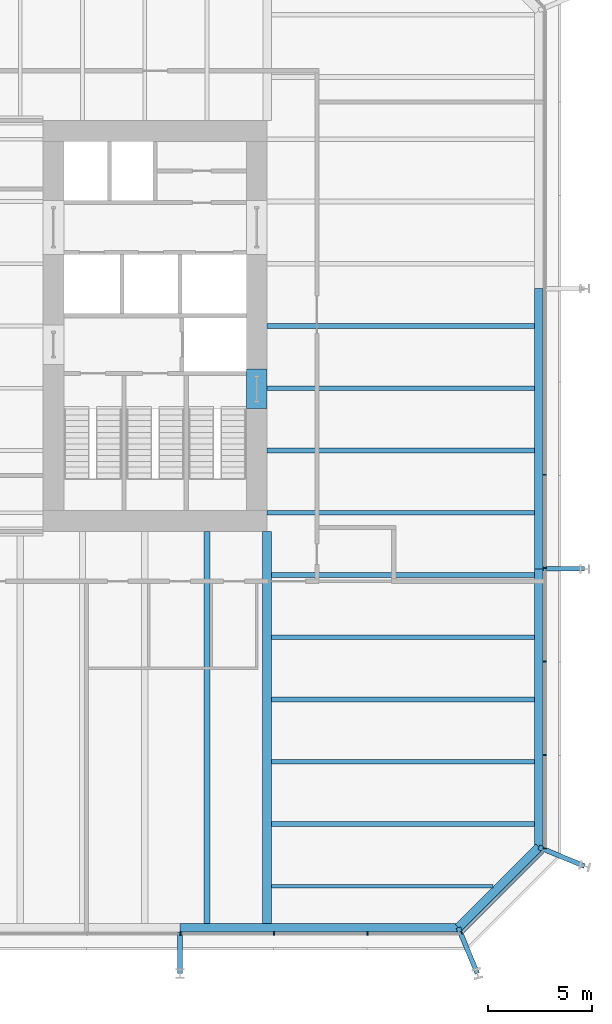
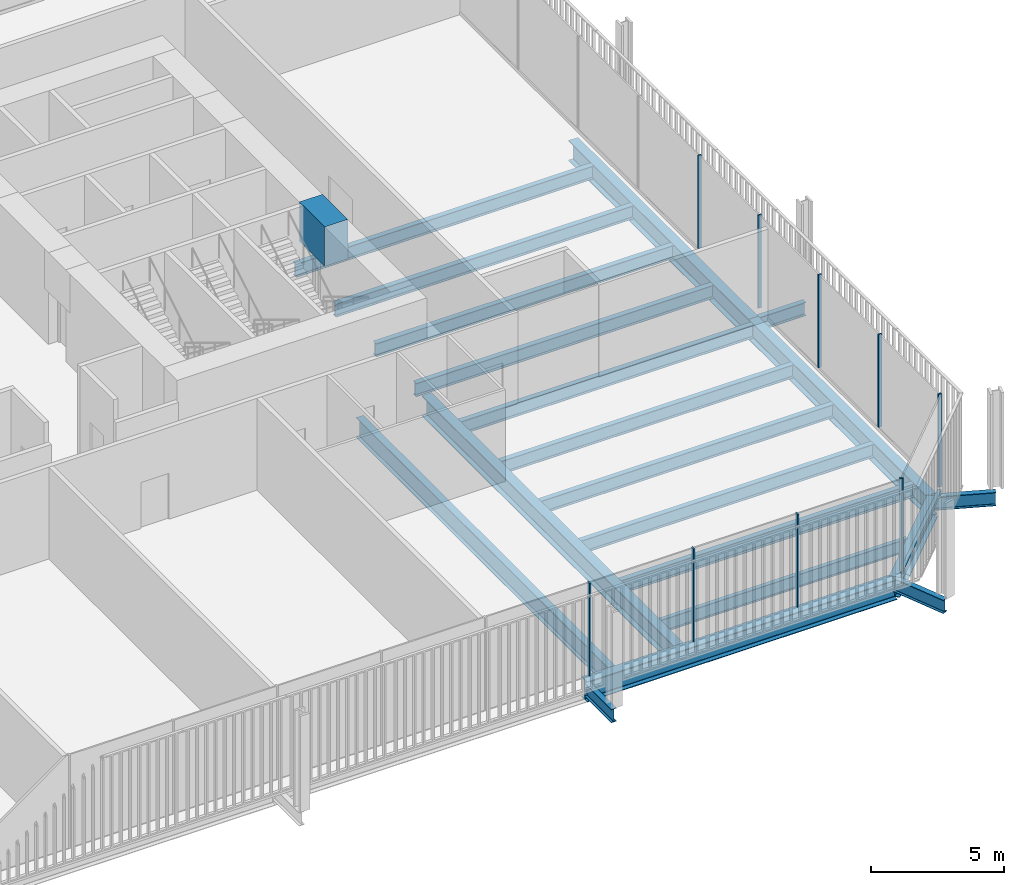
# One storey, part 8 of 20: 21 beams, 10 members, 3 elements without a shape of their own.
"""IFC4 building model written with IfcOpenShell, lengths in metres."""

from ifc_helpers import new_model, si_unit, direction, frame, origin, origin_2d, place, context, subcontext, project, spatial, rectangle, i_section, extrude, material, layer, layer_set, material_profile, profile_set, type_object, element, aggregate, save


model = new_model("IFC4")

# Units and contexts
model_context = context("Model", 3, precision=1e-05, world=origin(), true_north=direction((0.0, 1.0)))
body_context = subcontext(model_context, "Body", "Model", "MODEL_VIEW")
ifc_project = project(units=[si_unit("LENGTHUNIT", "METRE"), si_unit("AREAUNIT", "SQUARE_METRE"), si_unit("VOLUMEUNIT", "CUBIC_METRE"), si_unit("PLANEANGLEUNIT", "RADIAN"), si_unit("MASSUNIT", "GRAM", prefix="KILO")], contexts=[model_context])

# Site, building, storey
site_placement = place(None, origin())
site = spatial("IfcSite", under=ifc_project, at=site_placement, CompositionType="ELEMENT")
building_placement = place(site_placement, origin())
building = spatial("IfcBuilding", under=site, at=building_placement, Name="Millrace Tower", CompositionType="ELEMENT")
storey_placement = place(building_placement, frame((0.0, 0.0, 99.60009765625)))
storey = spatial("IfcBuildingStorey", under=building, at=storey_placement, Name="L22", CompositionType="ELEMENT", Elevation=99.60009765625)

# Curtain wall, members
ifc_material_1 = material(Name="Aluminium and glass", Category="aluminium")
ifc_layer = layer(ifc_material_1, 0.14990234375)
ifc_layer_set = layer_set([ifc_layer], Name="Aluminium and glass")
curtain_wall_type = type_object("IfcCurtainWallType", Name="CW-3 telecom floor curtain wall", PredefinedType="NOTDEFINED", material=ifc_layer_set)
placement = place(storey_placement, origin())
curtain_wall_1 = element("IfcCurtainWall", 1, at=placement, inside=storey, type_object=curtain_wall_type, Name="Curtain wall B-F02 L22", PredefinedType="NOTDEFINED")
ifc_material_2 = material(Name="Aluminium", Category="aluminium")
ifc_material_profile_1 = material_profile(ifc_material_2, rectangle(XDim=0.06494140625, YDim=0.14990234375, at=origin_2d()))
ifc_profile_set_1 = profile_set([ifc_material_profile_1], Name="Aluminium")
member_type_1 = type_object("IfcMemberType", Name="CW-3 telecom floor curtain wall mullion", PredefinedType="MULLION", material=ifc_profile_set_1)
member_1_placement = place(storey_placement, frame((10.732421875, -29.27490234375, 0.14990234375), z_axis=(0.0, 0.0, 1.0), x_axis=(1.0, 0.0, 0.0)))
member_1 = element("IfcMember", 2, at=member_1_placement, type_object=member_type_1, Name="CW3 mullion B-F02.7", PredefinedType="MULLION", context=body_context, shape_type="SweptSolid", body=[
    extrude(rectangle(XDim=0.06494140625, YDim=0.14990234375, at=origin_2d()), origin(), (0.0, 0.0, 1.0), 4.25),
])
member_2_placement = place(storey_placement, frame((15.232421875, -29.27490234375, 0.14990234375), z_axis=(0.0, 0.0, 1.0), x_axis=(1.0, 0.0, 0.0)))
member_2 = element("IfcMember", 3, at=member_2_placement, type_object=member_type_1, Name="CW3 mullion B-F02.8", PredefinedType="MULLION", context=body_context, shape_type="SweptSolid", body=[
    extrude(rectangle(XDim=0.06494140625, YDim=0.14990234375, at=origin_2d()), origin(), (0.0, 0.0, 1.0), 4.25),
])
member_3_placement = place(storey_placement, frame((19.732421875, -29.27490234375, 0.14990234375), z_axis=(0.0, 0.0, 1.0), x_axis=(1.0, 0.0, 0.0)))
member_3 = element("IfcMember", 4, at=member_3_placement, type_object=member_type_1, Name="CW3 mullion B-F02.9", PredefinedType="MULLION", context=body_context, shape_type="SweptSolid", body=[
    extrude(rectangle(XDim=0.06494140625, YDim=0.14990234375, at=origin_2d()), origin(), (0.0, 0.0, 1.0), 4.25),
])
aggregate(curtain_wall_1, [member_1, member_2, member_3])

# Curtain wall, member
curtain_wall_2 = element("IfcCurtainWall", 5, at=placement, inside=storey, type_object=curtain_wall_type, Name="Curtain wall B-F03 L22", PredefinedType="NOTDEFINED")
member_4_placement = place(storey_placement, frame((24.276123046875, -29.22998046875, 0.14990234375), z_axis=(0.0, 0.0, 1.0), x_axis=(0.707106781187, 0.707106781187, 0.0)))
member_4 = element("IfcMember", 6, at=member_4_placement, type_object=member_type_1, Name="CW3 mullion B-F03.1", PredefinedType="MULLION", context=body_context, shape_type="SweptSolid", body=[
    extrude(rectangle(XDim=0.06494140625, YDim=0.14990234375, at=origin_2d()), origin(), (0.0, 0.0, 1.0), 4.25),
])

# Curtain wall, members
curtain_wall_3 = element("IfcCurtainWall", 7, at=placement, inside=storey, type_object=curtain_wall_type, Name="Curtain wall B-F04 L22", PredefinedType="NOTDEFINED")
member_5_placement = place(storey_placement, frame((28.27490234375, -25.16748046875, 0.14990234375), z_axis=(0.0, 0.0, 1.0), x_axis=(0.0, 1.0, 0.0)))
member_5 = element("IfcMember", 8, at=member_5_placement, type_object=member_type_1, Name="CW3 mullion B-F04.1", PredefinedType="MULLION", context=body_context, shape_type="SweptSolid", body=[
    extrude(rectangle(XDim=0.06494140625, YDim=0.14990234375, at=origin_2d()), origin(), (0.0, 0.0, 1.0), 4.25),
])
member_6_placement = place(storey_placement, frame((28.27490234375, -20.66748046875, 0.14990234375), z_axis=(0.0, 0.0, 1.0), x_axis=(0.0, 1.0, 0.0)))
member_6 = element("IfcMember", 9, at=member_6_placement, type_object=member_type_1, Name="CW3 mullion B-F04.2", PredefinedType="MULLION", context=body_context, shape_type="SweptSolid", body=[
    extrude(rectangle(XDim=0.06494140625, YDim=0.14990234375, at=origin_2d()), origin(), (0.0, 0.0, 1.0), 4.25),
])
member_7_placement = place(storey_placement, frame((28.27490234375, -16.16748046875, 0.14990234375), z_axis=(0.0, 0.0, 1.0), x_axis=(0.0, 1.0, 0.0)))
member_7 = element("IfcMember", 10, at=member_7_placement, type_object=member_type_1, Name="CW3 mullion B-F04.3", PredefinedType="MULLION", context=body_context, shape_type="SweptSolid", body=[
    extrude(rectangle(XDim=0.06494140625, YDim=0.14990234375, at=origin_2d()), origin(), (0.0, 0.0, 1.0), 4.25),
])
member_8_placement = place(storey_placement, frame((28.27490234375, -11.66748046875, 0.14990234375), z_axis=(0.0, 0.0, 1.0), x_axis=(0.0, 1.0, 0.0)))
member_8 = element("IfcMember", 11, at=member_8_placement, type_object=member_type_1, Name="CW3 mullion B-F04.4", PredefinedType="MULLION", context=body_context, shape_type="SweptSolid", body=[
    extrude(rectangle(XDim=0.06494140625, YDim=0.14990234375, at=origin_2d()), origin(), (0.0, 0.0, 1.0), 4.25),
])
member_9_placement = place(storey_placement, frame((28.27490234375, -7.16748046875, 0.14990234375), z_axis=(0.0, 0.0, 1.0), x_axis=(0.0, 1.0, 0.0)))
member_9 = element("IfcMember", 12, at=member_9_placement, type_object=member_type_1, Name="CW3 mullion B-F04.5", PredefinedType="MULLION", context=body_context, shape_type="SweptSolid", body=[
    extrude(rectangle(XDim=0.06494140625, YDim=0.14990234375, at=origin_2d()), origin(), (0.0, 0.0, 1.0), 4.25),
])
aggregate(curtain_wall_3, [member_5, member_6, member_7, member_8, member_9])

# Member
ifc_material_3 = material(Name="Aluminium", Category="aluminium")
ifc_material_profile_2 = material_profile(ifc_material_3, rectangle(XDim=0.14990234375, YDim=0.14990234375, at=origin_2d()))
ifc_profile_set_2 = profile_set([ifc_material_profile_2], Name="Aluminium")
member_type_2 = type_object("IfcMemberType", Name="CW-3 telecom floor curtain wall transom", PredefinedType="USERDEFINED", material=ifc_profile_set_2)
member_10_placement = place(storey_placement, frame((24.32373046875, -29.182373046875, 0.074951171875), z_axis=(0.707106781187, 0.707106781187, 0.0), x_axis=(-0.707106781187, 0.707106781187, 0.0)))
member_10 = element("IfcMember", 13, at=member_10_placement, type_object=member_type_2, Name="CW3 transom B-F03.1", ObjectType="TRANSOM", PredefinedType="USERDEFINED", context=body_context, shape_type="SweptSolid", body=[
    extrude(rectangle(XDim=0.14990234375, YDim=0.14990234375, at=origin_2d()), origin(), (0.0, 0.0, 1.0), 5.45703125),
])

aggregate(curtain_wall_2, [member_4, member_10])

# Beams
ifc_material_4 = material(Name="Concrete C80", Category="concrete")
ifc_material_profile_3 = material_profile(ifc_material_4, rectangle(XDim=1.0, YDim=1.800048828125, at=origin_2d()))
ifc_profile_set_3 = profile_set([ifc_material_profile_3], Name="Concrete C80")
beam_type_1 = type_object("IfcBeamType", Name="Coupling beam 1000 x 1800 Concrete C80, 1300 opening", PredefinedType="BEAM", material=ifc_profile_set_3)
beam_1_placement = place(storey_placement, frame((14.39990234375, -2.080078125, 3.2998046875), z_axis=(0.0, -1.0, 0.0), x_axis=(1.0, 0.0, 0.0)))
element("IfcBeam", 14, at=beam_1_placement, inside=storey, type_object=beam_type_1, Name="Coupling beam E L22", PredefinedType="BEAM", context=body_context, shape_type="SweptSolid", body=[
    extrude(rectangle(XDim=1.0, YDim=1.800048828125, at=origin_2d()), origin(), (0.0, 0.0, 1.0), 1.89990234375),
])
ifc_material_5 = material(Name="Steel ASTM A992 Grade 50", Category="steel")
ifc_material_profile_4 = material_profile(ifc_material_5, i_section(OverallWidth=0.1787109375, OverallDepth=0.60205078125, WebThickness=0.010986328125, FlangeThickness=0.014892578125, FilletRadius=0.0126953125, at=origin_2d()))
ifc_profile_set_4 = profile_set([ifc_material_profile_4], Name="Steel ASTM A992 Grade 50")
beam_type_2 = type_object("IfcBeamType", Name="Floor beam W24x62", PredefinedType="JOIST", material=ifc_profile_set_4)
beam_2_placement = place(storey_placement, frame((15.11083984375, -27.0, -0.5009765625), z_axis=(1.0, 0.0, 0.0), x_axis=(0.0, 1.0, 0.0)))
element("IfcBeam", 15, at=beam_2_placement, inside=storey, type_object=beam_type_2, Name="BM-B-L22-S1-S002", PredefinedType="JOIST", context=body_context, shape_type="SweptSolid", body=[
    extrude(i_section(OverallWidth=0.1787109375, OverallDepth=0.60205078125, WebThickness=0.010986328125, FlangeThickness=0.014892578125, FilletRadius=0.0126953125, at=origin_2d()), origin(), (0.0, 0.0, 1.0), 10.67236328125),
])
ifc_material_6 = material(Name="Steel ASTM A992 Grade 50", Category="steel")
ifc_material_profile_5 = material_profile(ifc_material_6, i_section(OverallWidth=0.228271484375, OverallDepth=0.607177734375, WebThickness=0.01123046875, FlangeThickness=0.017333984375, FilletRadius=0.0126953125, at=origin_2d()))
ifc_profile_set_5 = profile_set([ifc_material_profile_5], Name="Steel ASTM A992 Grade 50")
beam_type_3 = type_object("IfcBeamType", Name="Floor beam W24x76", PredefinedType="JOIST", material=ifc_profile_set_5)
for number, where, z_axis, x_axis, name in (
    (16, (15.11083984375, -24.0, -0.503662109375), (1.0, 0.0, 0.0), (0.0, 1.0, 0.0), "BM-B-L22-S1-S004"),
    (17, (15.11083984375, -21.0, -0.503662109375), (1.0, 0.0, 0.0), (0.0, 1.0, 0.0), "BM-B-L22-S1-S006"),
    (18, (15.11083984375, -18.0, -0.503662109375), (1.0, 0.0, 0.0), (0.0, 1.0, 0.0), "BM-B-L22-S1-S008"),
    (19, (15.11083984375, -15.0, -0.503662109375), (1.0, 0.0, 0.0), (0.0, 1.0, 0.0), "BM-B-L22-S1-S010"),
    (20, (15.11083984375, -12.0, -0.503662109375), (1.0, 0.0, 0.0), (0.0, 1.0, 0.0), "BM-B-L22-S1-S012"),
):
    element("IfcBeam", number, at=place(storey_placement, frame(where, z_axis=z_axis, x_axis=x_axis)), inside=storey, type_object=beam_type_3, Name=name, PredefinedType="JOIST", context=body_context, shape_type="SweptSolid", body=[
        extrude(i_section(OverallWidth=0.228271484375, OverallDepth=0.607177734375, WebThickness=0.01123046875, FlangeThickness=0.017333984375, FilletRadius=0.0126953125, at=origin_2d()), origin(), (0.0, 0.0, 1.0), 12.670166015625),
    ])
for number, where, z_axis, x_axis, name in (
    (21, (14.89990234375, -9.0, -0.503662109375), (1.0, 0.0, 0.0), (0.0, 1.0, 0.0), "BM-B-L22-S1-S015"),
    (22, (14.89990234375, -6.0, -0.503662109375), (1.0, 0.0, 0.0), (0.0, 1.0, 0.0), "BM-B-L22-S1-S018"),
    (23, (14.89990234375, -3.0, -0.503662109375), (1.0, 0.0, 0.0), (0.0, 1.0, 0.0), "BM-B-L22-S1-S021"),
    (24, (14.89990234375, 0.0, -0.503662109375), (1.0, 0.0, 0.0), (0.0, 1.0, 0.0), "BM-B-L22-S1-S024"),
):
    element("IfcBeam", number, at=place(storey_placement, frame(where, z_axis=z_axis, x_axis=x_axis)), inside=storey, type_object=beam_type_3, Name=name, PredefinedType="JOIST", context=body_context, shape_type="SweptSolid", body=[
        extrude(i_section(OverallWidth=0.228271484375, OverallDepth=0.607177734375, WebThickness=0.01123046875, FlangeThickness=0.017333984375, FilletRadius=0.0126953125, at=origin_2d()), origin(), (0.0, 0.0, 1.0), 12.881103515625),
    ])
ifc_material_7 = material(Name="Steel ASTM A992 Grade 50", Category="steel")
ifc_material_profile_6 = material_profile(ifc_material_7, i_section(OverallWidth=0.307373046875, OverallDepth=0.927001953125, WebThickness=0.01953125, FlangeThickness=0.031982421875, FilletRadius=0.01904296875, at=origin_2d()))
ifc_profile_set_6 = profile_set([ifc_material_profile_6], Name="Steel ASTM A992 Grade 50")
beam_type_4 = type_object("IfcBeamType", Name="Floor beam W36x194", PredefinedType="JOIST", material=ifc_profile_set_6)
beam_3_placement = place(storey_placement, frame((12.0, -28.781005859375, -0.66357421875), z_axis=(0.0, 1.0, 0.0), x_axis=(-1.0, 0.0, 0.0)))
element("IfcBeam", 25, at=beam_3_placement, inside=storey, type_object=beam_type_4, Name="BM-B-L22-S1-S057", PredefinedType="JOIST", context=body_context, shape_type="SweptSolid", body=[
    extrude(i_section(OverallWidth=0.307373046875, OverallDepth=0.927001953125, WebThickness=0.01953125, FlangeThickness=0.031982421875, FilletRadius=0.01904296875, at=origin_2d()), origin(), (0.0, 0.0, 1.0), 18.881103515625),
])
ifc_material_8 = material(Name="Steel ASTM A992 Grade 50", Category="steel")
ifc_material_profile_7 = material_profile(ifc_material_8, i_section(OverallWidth=0.424072265625, OverallDepth=0.947509765625, WebThickness=0.02392578125, FlangeThickness=0.042724609375, FilletRadius=0.024169921875, at=origin_2d()))
ifc_profile_set_7 = profile_set([ifc_material_profile_7], Name="Steel ASTM A992 Grade 50")
beam_type_5 = type_object("IfcBeamType", Name="Girder medium span W36x302", PredefinedType="BEAM", material=ifc_profile_set_7)
beam_4_placement = place(storey_placement, frame((14.89990234375, -28.781005859375, -0.673828125), z_axis=(0.0, 1.0, 0.0), x_axis=(-1.0, 0.0, 0.0)))
element("IfcBeam", 26, at=beam_4_placement, inside=storey, type_object=beam_type_5, Name="BM-B-L22-S1-G061", PredefinedType="BEAM", context=body_context, shape_type="SweptSolid", body=[
    extrude(i_section(OverallWidth=0.424072265625, OverallDepth=0.947509765625, WebThickness=0.02392578125, FlangeThickness=0.042724609375, FilletRadius=0.024169921875, at=origin_2d()), origin(), (0.0, 0.0, 1.0), 18.881103515625),
])
ifc_material_9 = material(Name="Steel ASTM A992 Grade 50", Category="steel")
ifc_material_profile_8 = material_profile(ifc_material_9, i_section(OverallWidth=0.23046875, OverallDepth=0.6171875, WebThickness=0.01318359375, FlangeThickness=0.022216796875, FilletRadius=0.012939453125, at=origin_2d()))
ifc_profile_set_8 = profile_set([ifc_material_profile_8], Name="Steel ASTM A992 Grade 50")
beam_type_6 = type_object("IfcBeamType", Name="Link beam W24x94", PredefinedType="BEAM", material=ifc_profile_set_8)
beam_5_placement = place(storey_placement, frame((28.199951171875, -11.699951171875, -0.5087890625), z_axis=(1.0, 0.0, 0.0), x_axis=(0.0, 1.0, 0.0)))
element("IfcBeam", 27, at=beam_5_placement, inside=storey, type_object=beam_type_6, Name="LNK-B-L22-S1-11", PredefinedType="BEAM", context=body_context, shape_type="SweptSolid", body=[
    extrude(i_section(OverallWidth=0.23046875, OverallDepth=0.6171875, WebThickness=0.01318359375, FlangeThickness=0.022216796875, FilletRadius=0.012939453125, at=origin_2d()), origin(), (0.0, 0.0, 1.0), 2.0),
])
for number, where, z_axis, x_axis, name in (
    (28, (27.990478515625, -25.11328125, -0.5087890625), (0.923902368833, -0.382628295954, 0.0), (0.382628295954, 0.923902368833, 0.0), "LNK-B-L22-S1-12"),
    (29, (24.11328125, -28.990478515625, -0.5087890625), (0.382628295954, -0.923902368833, 0.0), (0.923902368833, 0.382628295954, 0.0), "LNK-B-L22-S1-13"),
):
    element("IfcBeam", number, at=place(storey_placement, frame(where, z_axis=z_axis, x_axis=x_axis)), inside=storey, type_object=beam_type_6, Name=name, PredefinedType="BEAM", context=body_context, shape_type="SweptSolid", body=[
        extrude(i_section(OverallWidth=0.23046875, OverallDepth=0.6171875, WebThickness=0.01318359375, FlangeThickness=0.022216796875, FilletRadius=0.012939453125, at=origin_2d()), origin(), (0.0, 0.0, 1.0), 2.391357421875),
    ])
beam_6_placement = place(storey_placement, frame((10.699951171875, -29.199951171875, -0.5087890625), z_axis=(0.0, -1.0, 0.0), x_axis=(1.0, 0.0, 0.0)))
element("IfcBeam", 30, at=beam_6_placement, inside=storey, type_object=beam_type_6, Name="LNK-B-L22-S1-14", PredefinedType="BEAM", context=body_context, shape_type="SweptSolid", body=[
    extrude(i_section(OverallWidth=0.23046875, OverallDepth=0.6171875, WebThickness=0.01318359375, FlangeThickness=0.022216796875, FilletRadius=0.012939453125, at=origin_2d()), origin(), (0.0, 0.0, 1.0), 2.0),
])
ifc_material_10 = material(Name="Steel ASTM A992 Grade 50", Category="steel")
ifc_material_profile_9 = material_profile(ifc_material_10, i_section(OverallWidth=0.419189453125, OverallDepth=0.927001953125, WebThickness=0.019287109375, FlangeThickness=0.031982421875, FilletRadius=0.024169921875, at=origin_2d()))
ifc_profile_set_9 = profile_set([ifc_material_profile_9], Name="Steel ASTM A992 Grade 50")
beam_type_7 = type_object("IfcBeamType", Name="Ring beam medium span W36x231", PredefinedType="SPANDREL", material=ifc_profile_set_9)
beam_7_placement = place(storey_placement, frame((27.990478515625, 1.800048828125, -0.66357421875), z_axis=(0.0, -1.0, 0.0), x_axis=(1.0, 0.0, 0.0)))
element("IfcBeam", 31, at=beam_7_placement, inside=storey, type_object=beam_type_7, Name="RNG-B-L22-S1-10", PredefinedType="SPANDREL", context=body_context, shape_type="SweptSolid", body=[
    extrude(i_section(OverallWidth=0.419189453125, OverallDepth=0.927001953125, WebThickness=0.019287109375, FlangeThickness=0.031982421875, FilletRadius=0.024169921875, at=origin_2d()), origin(), (0.0, 0.0, 1.0), 13.5),
])
for number, where, z_axis, x_axis, name in (
    (32, (27.990478515625, -11.699951171875, -0.66357421875), (0.0, -1.0, 0.0), (1.0, 0.0, 0.0), "RNG-B-L22-S1-11"),
    (33, (24.11328125, -28.990478515625, -0.66357421875), (-1.0, 0.0, 0.0), (0.0, -1.0, 0.0), "RNG-B-L22-S1-13"),
):
    element("IfcBeam", number, at=place(storey_placement, frame(where, z_axis=z_axis, x_axis=x_axis)), inside=storey, type_object=beam_type_7, Name=name, PredefinedType="SPANDREL", context=body_context, shape_type="SweptSolid", body=[
        extrude(i_section(OverallWidth=0.419189453125, OverallDepth=0.927001953125, WebThickness=0.019287109375, FlangeThickness=0.031982421875, FilletRadius=0.024169921875, at=origin_2d()), origin(), (0.0, 0.0, 1.0), 13.413330078125),
    ])
ifc_material_11 = material(Name="Steel ASTM A992 Grade 50", Category="steel")
ifc_material_profile_10 = material_profile(ifc_material_11, i_section(OverallWidth=0.419189453125, OverallDepth=0.927001953125, WebThickness=0.019287109375, FlangeThickness=0.031982421875, FilletRadius=0.024169921875, at=origin_2d()))
ifc_profile_set_10 = profile_set([ifc_material_profile_10], Name="Steel ASTM A992 Grade 50")
beam_type_8 = type_object("IfcBeamType", Name="Ring beam short span W36x231", PredefinedType="SPANDREL", material=ifc_profile_set_10)
beam_8_placement = place(storey_placement, frame((27.990478515625, -25.11328125, -0.66357421875), z_axis=(-0.707106781187, -0.707106781187, 0.0), x_axis=(0.707106781187, -0.707106781187, 0.0)))
element("IfcBeam", 34, at=beam_8_placement, inside=storey, type_object=beam_type_8, Name="RNG-B-L22-S1-12", PredefinedType="SPANDREL", context=body_context, shape_type="SweptSolid", body=[
    extrude(i_section(OverallWidth=0.419189453125, OverallDepth=0.927001953125, WebThickness=0.019287109375, FlangeThickness=0.031982421875, FilletRadius=0.024169921875, at=origin_2d()), origin(), (0.0, 0.0, 1.0), 5.483154296875),
])

save(model, "model.ifc")
